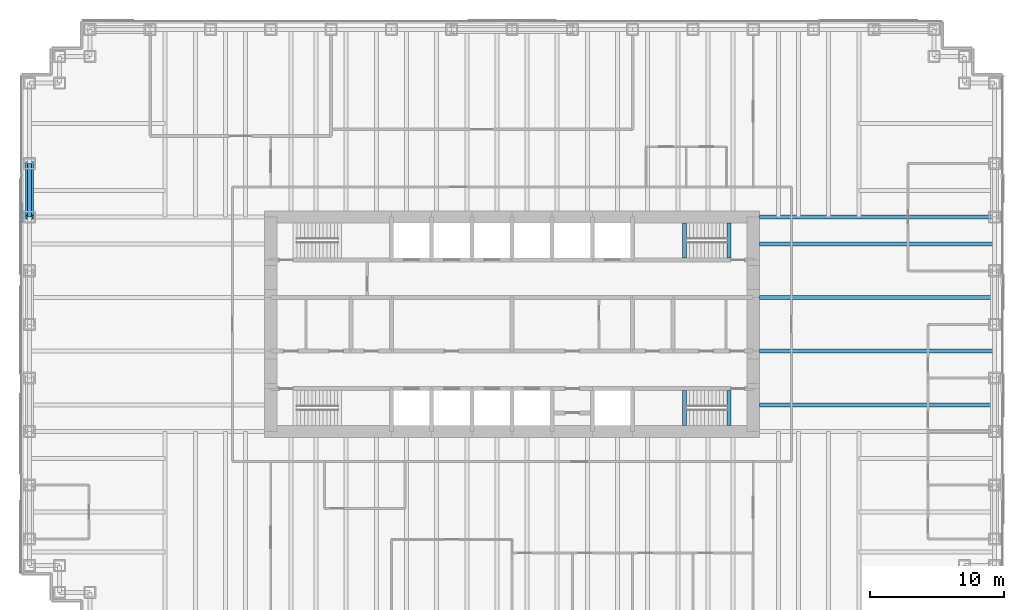
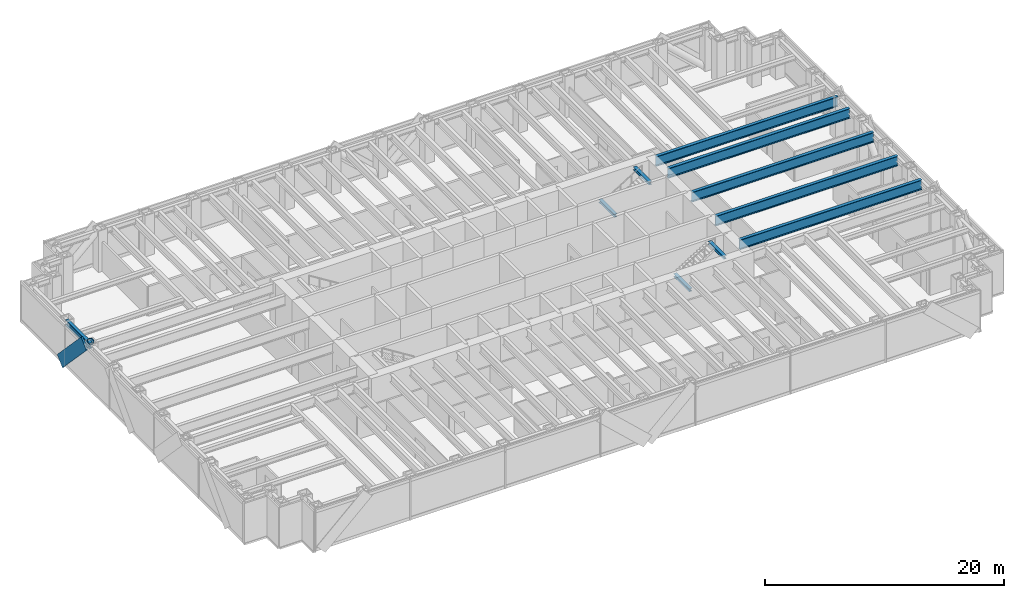
# One storey, part 5 of 15: 10 beams, 2 members, 1 element without a shape of its own.
"""IFC4 building model written with IfcOpenShell, lengths in metres."""

from ifc_helpers import new_model, si_unit, direction, frame, origin, origin_2d, place, context, subcontext, project, spatial, rectangle, hollow_circle, i_section, extrude, material, material_profile, profile_set, type_object, element, aggregate, save


model = new_model("IFC4")

# Units and contexts
model_context = context("Model", 3, precision=1e-05, world=origin(), true_north=direction((0.0, 1.0)))
body_context = subcontext(model_context, "Body", "Model", "MODEL_VIEW")
ifc_project = project(units=[si_unit("LENGTHUNIT", "METRE"), si_unit("AREAUNIT", "SQUARE_METRE"), si_unit("VOLUMEUNIT", "CUBIC_METRE"), si_unit("PLANEANGLEUNIT", "RADIAN"), si_unit("MASSUNIT", "GRAM", prefix="KILO")], contexts=[model_context])

# Site, building, storey
site_placement = place(None, origin())
site = spatial("IfcSite", under=ifc_project, at=site_placement, CompositionType="ELEMENT")
building_placement = place(site_placement, origin())
building = spatial("IfcBuilding", under=site, at=building_placement, Name="Rheinbord Bourse Tower", CompositionType="ELEMENT")
storey_placement = place(building_placement, frame((0.0, 0.0, 125.699951171875)))
storey = spatial("IfcBuildingStorey", under=building, at=storey_placement, Name="L27", CompositionType="ELEMENT", Elevation=125.699951171875)

# Curtain wall, member
ifc_material_1 = material(Name="Dark glass and black aluminium", Category="aluminium")
curtain_wall_type = type_object("IfcCurtainWallType", Name="CW2 DARK GLASS CURTAIN WALL", PredefinedType="USERDEFINED", material=ifc_material_1)
curtain_wall_placement = place(storey_placement, origin())
curtain_wall = element("IfcCurtainWall", 1, at=curtain_wall_placement, inside=storey, type_object=curtain_wall_type, Name="Curtain wall CW2 W L27", ObjectType="UNITISED CURTAIN WALL", PredefinedType="USERDEFINED")
ifc_material_2 = material(Name="Black anodised aluminium", Category="aluminium")
ifc_material_profile_1 = material_profile(ifc_material_2, rectangle(XDim=0.159912109375, YDim=1.2099609375, at=origin_2d()), Name="CW2 DIAGONAL MULLION 1210x160")
ifc_profile_set_1 = profile_set([ifc_material_profile_1], Name="Black anodised aluminium")
member_type_1 = type_object("IfcMemberType", Name="CW2 BLACK DIAGONAL MULLION", PredefinedType="USERDEFINED", material=ifc_profile_set_1)
member_1_placement = place(storey_placement, frame((-0.60009765625, 36.0, 0.0), z_axis=(0.0, -0.689659376744, 0.724133926887), x_axis=(1.0, 0.0, 0.0)))
member_1 = element("IfcMember", 2, at=member_1_placement, type_object=member_type_1, Name="CW2 diagonal mullion a", ObjectType="DIAGONAL MULLION", PredefinedType="USERDEFINED", context=body_context, shape_type="SweptSolid", body=[
    extrude(rectangle(XDim=0.159912109375, YDim=1.2099609375, at=origin_2d()), origin(), (0.0, 0.0, 1.0), 5.800048828125),
])
aggregate(curtain_wall, [member_1])

# Beams
ifc_material_3 = material(Name="Steel S460", Category="steel")
ifc_material_profile_2 = material_profile(ifc_material_3, i_section(OverallWidth=0.302001953125, OverallDepth=1.008056640625, WebThickness=0.02099609375, FlangeThickness=0.0400390625, at=origin_2d()), Name="HEM 1000")
ifc_profile_set_2 = profile_set([ifc_material_profile_2], Name="Steel S460")
beam_type_1 = type_object("IfcBeamType", Name="END BEAM HEM 1000", PredefinedType="BEAM", material=ifc_profile_set_2)
for number, where, z_axis, x_axis, name in (
    (3, (54.449951171875, 18.0, 3.5361328125), (1.0, 0.0, 0.0), (0.0, 1.0, 0.0), "End beam east 18 L28"),
    (4, (54.449951171875, 22.0, 3.5361328125), (1.0, 0.0, 0.0), (0.0, 1.0, 0.0), "End beam east 22 L28"),
    (5, (54.449951171875, 26.0, 3.5361328125), (1.0, 0.0, 0.0), (0.0, 1.0, 0.0), "End beam east 26 L28"),
    (6, (54.449951171875, 30.0, 3.5361328125), (1.0, 0.0, 0.0), (0.0, 1.0, 0.0), "End beam east 30 L28"),
):
    element("IfcBeam", number, at=place(storey_placement, frame(where, z_axis=z_axis, x_axis=x_axis)), inside=storey, type_object=beam_type_1, Name=name, PredefinedType="BEAM", context=body_context, shape_type="SweptSolid", body=[
        extrude(i_section(OverallWidth=0.302001953125, OverallDepth=1.008056640625, WebThickness=0.02099609375, FlangeThickness=0.0400390625, at=origin_2d()), origin(), (0.0, 0.0, 1.0), 17.550048828125),
    ])
ifc_material_4 = material(Name="Steel S460", Category="steel")
ifc_material_profile_3 = material_profile(ifc_material_4, i_section(OverallWidth=0.302001953125, OverallDepth=1.008056640625, WebThickness=0.02099609375, FlangeThickness=0.0400390625, at=origin_2d()), Name="HEM 1000")
ifc_profile_set_3 = profile_set([ifc_material_profile_3], Name="Steel S460")
beam_type_2 = type_object("IfcBeamType", Name="GIRDER HEM 1000", PredefinedType="BEAM", material=ifc_profile_set_3)
beam_1_placement = place(storey_placement, frame((54.449951171875, 32.0, 3.5361328125), z_axis=(1.0, 0.0, 0.0), x_axis=(0.0, 1.0, 0.0)))
element("IfcBeam", 7, at=beam_1_placement, inside=storey, type_object=beam_type_2, Name="Girder east 32 L28", PredefinedType="BEAM", context=body_context, shape_type="SweptSolid", body=[
    extrude(i_section(OverallWidth=0.302001953125, OverallDepth=1.008056640625, WebThickness=0.02099609375, FlangeThickness=0.0400390625, at=origin_2d()), origin(), (0.0, 0.0, 1.0), 17.550048828125),
])
ifc_material_5 = material(Name="Steel S460", Category="steel")
ifc_material_profile_4 = material_profile(ifc_material_5, i_section(OverallWidth=0.300048828125, OverallDepth=0.300048828125, WebThickness=0.010986328125, FlangeThickness=0.01904296875, at=origin_2d()), Name="HEB 300")
ifc_profile_set_4 = profile_set([ifc_material_profile_4], Name="Steel S460")
beam_type_3 = type_object("IfcBeamType", Name="LANDING TRIMMER HEB 300", PredefinedType="BEAM", material=ifc_profile_set_4)
for number, where, z_axis, x_axis, name in (
    (8, (48.8701171875, 16.449951171875, 1.75), (0.0, 1.0, 0.0), (-1.0, 0.0, 0.0), "Landing trimmer ST3 L27"),
    (9, (52.199951171875, 16.449951171875, 3.89013671875), (0.0, 1.0, 0.0), (-1.0, 0.0, 0.0), "Well trimmer ST3 under L28"),
    (10, (48.8701171875, 28.949951171875, 1.75), (0.0, 1.0, 0.0), (-1.0, 0.0, 0.0), "Landing trimmer ST4 L27"),
    (11, (52.199951171875, 28.949951171875, 3.89013671875), (0.0, 1.0, 0.0), (-1.0, 0.0, 0.0), "Well trimmer ST4 under L28"),
):
    element("IfcBeam", number, at=place(storey_placement, frame(where, z_axis=z_axis, x_axis=x_axis)), inside=storey, type_object=beam_type_3, Name=name, PredefinedType="BEAM", context=body_context, shape_type="SweptSolid", body=[
        extrude(i_section(OverallWidth=0.300048828125, OverallDepth=0.300048828125, WebThickness=0.010986328125, FlangeThickness=0.01904296875, at=origin_2d()), origin(), (0.0, 0.0, 1.0), 2.60009765625),
    ])

# Member
ifc_material_6 = material(Name="Steel S460", Category="steel")
ifc_material_profile_5 = material_profile(ifc_material_6, hollow_circle(Radius=0.304931640625, WallThickness=0.0400390625, at=origin_2d()), Name="CHS 610x40")
ifc_profile_set_5 = profile_set([ifc_material_profile_5], Name="Steel S460")
member_type_2 = type_object("IfcMemberType", Name="MEGABRACE CHS 610x40", PredefinedType="BRACE", material=ifc_profile_set_5)
member_2_placement = place(storey_placement, frame((0.0, 36.0, 0.0), z_axis=(0.0, -0.689659376744, 0.724133926887), x_axis=(1.0, 0.0, 0.0)))
element("IfcMember", 12, at=member_2_placement, inside=storey, type_object=member_type_2, Name="Megabrace W face line a L27", PredefinedType="BRACE", context=body_context, shape_type="SweptSolid", body=[
    extrude(hollow_circle(Radius=0.304931640625, WallThickness=0.0400390625, at=origin_2d()), origin(), (0.0, 0.0, 1.0), 5.800048828125),
])

# Beam
ifc_material_7 = material(Name="Steel S460", Category="steel")
ifc_material_profile_6 = material_profile(ifc_material_7, i_section(OverallWidth=0.305908203125, OverallDepth=0.572021484375, WebThickness=0.02099609375, FlangeThickness=0.0400390625, at=origin_2d()), Name="HEM 550")
ifc_profile_set_6 = profile_set([ifc_material_profile_6], Name="Steel S460")
beam_type_4 = type_object("IfcBeamType", Name="SPANDREL HEM 550", PredefinedType="SPANDREL", material=ifc_profile_set_6)
beam_2_placement = place(storey_placement, frame((0.0, 36.0, 3.754150390625), z_axis=(0.0, -1.0, 0.0), x_axis=(1.0, 0.0, 0.0)))
element("IfcBeam", 13, at=beam_2_placement, inside=storey, type_object=beam_type_4, Name="Spandrel W-36-W-32 under L28", PredefinedType="SPANDREL", context=body_context, shape_type="SweptSolid", body=[
    extrude(i_section(OverallWidth=0.305908203125, OverallDepth=0.572021484375, WebThickness=0.02099609375, FlangeThickness=0.0400390625, at=origin_2d()), origin(), (0.0, 0.0, 1.0), 4.0),
])

save(model, "model.ifc")
